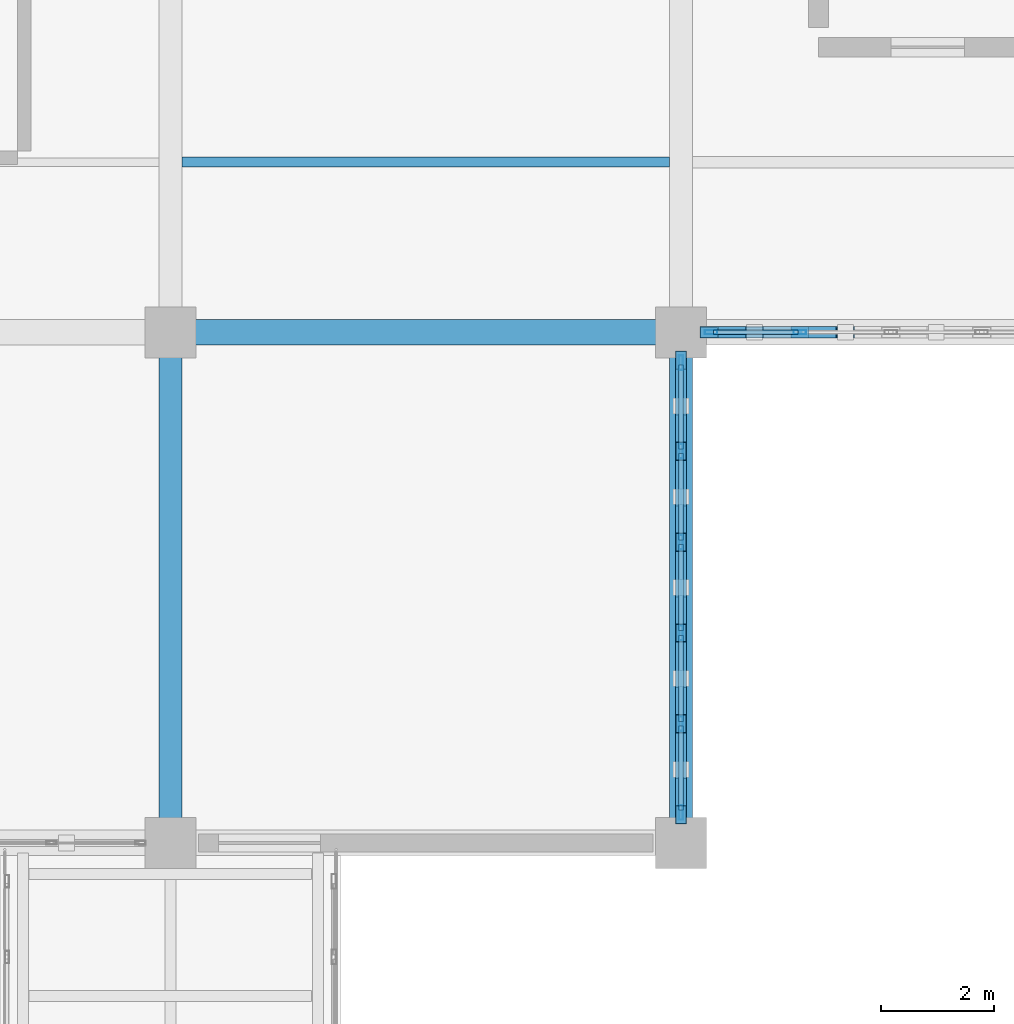
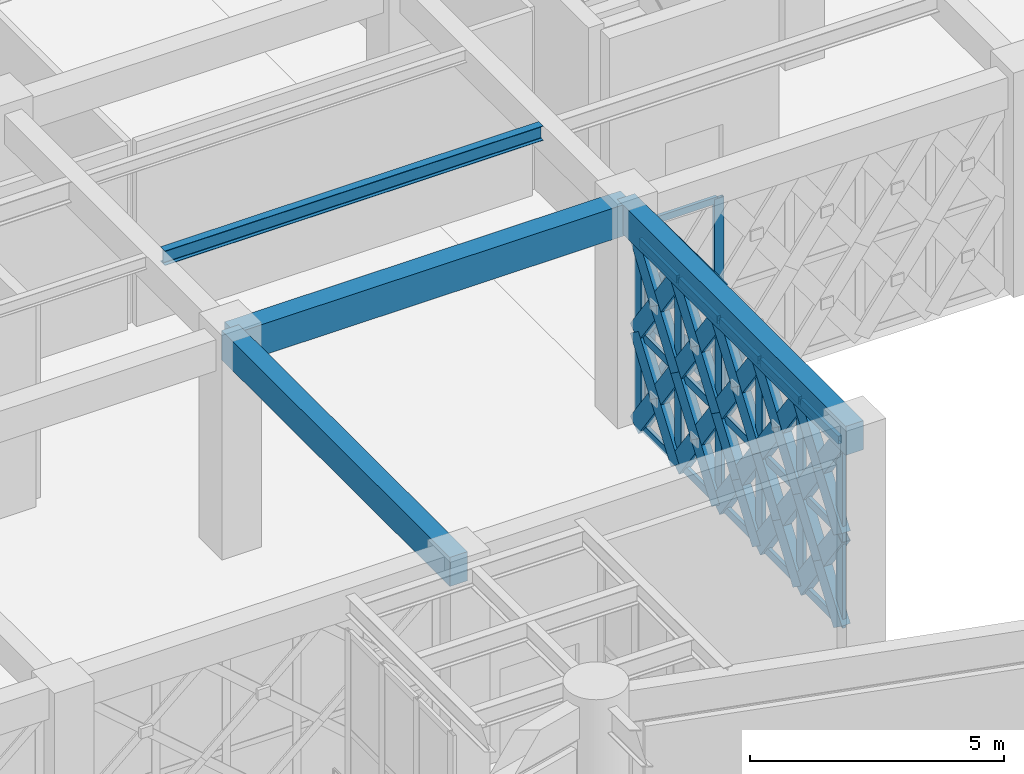
# One storey, part 74 of 155: 61 members, 4 beams, 2 elements without a shape of their own.
"""IFC4 building model written with IfcOpenShell, lengths in metres."""

from ifc_helpers import new_model, si_unit, direction, frame, origin, origin_2d, place, context, subcontext, project, spatial, rectangle, hollow_rectangle, i_section, extrude, material, material_profile, profile_set, type_object, element, aggregate, save


model = new_model("IFC4")

# Units and contexts
model_context = context("Model", 3, precision=1e-05, world=origin(), true_north=direction((0.0, 1.0)))
body_context = subcontext(model_context, "Body", "Model", "MODEL_VIEW")
ifc_project = project(units=[si_unit("LENGTHUNIT", "METRE"), si_unit("AREAUNIT", "SQUARE_METRE"), si_unit("VOLUMEUNIT", "CUBIC_METRE"), si_unit("PLANEANGLEUNIT", "RADIAN"), si_unit("MASSUNIT", "GRAM", prefix="KILO")], contexts=[model_context])

# Site, building, storey
site_placement = place(None, origin())
site = spatial("IfcSite", under=ifc_project, at=site_placement, CompositionType="ELEMENT")
building_placement = place(site_placement, origin())
building = spatial("IfcBuilding", under=site, at=building_placement, Name="Haizhuo Lancet Aquarium", CompositionType="ELEMENT")
storey_placement = place(building_placement, frame((0.0, 0.0, 10.800048828125)))
storey = spatial("IfcBuildingStorey", under=building, at=storey_placement, Name="L02", CompositionType="ELEMENT", Elevation=10.800048828125)

# Beams
ifc_material_1 = material(Name="Concrete C40/50", Category="concrete")
ifc_material_profile_1 = material_profile(ifc_material_1, rectangle(XDim=0.39990234375, YDim=0.699951171875, at=origin_2d()), Name="RC-BM 400x700")
ifc_profile_set_1 = profile_set([ifc_material_profile_1], Name="Concrete C40/50")
beam_type_1 = type_object("IfcBeamType", Name="BM-RC-400x700", PredefinedType="BEAM", material=ifc_profile_set_1)
for number, where, z_axis, x_axis, name in (
    (1, (0.0, 27.0, 4.81005859375), (0.0, 1.0, 0.0), (-1.0, 0.0, 0.0), "L02 V5 primary girder BM-L02-V5-016"),
    (2, (9.0, 27.0, 4.81005859375), (0.0, 1.0, 0.0), (-1.0, 0.0, 0.0), "L02 V5 primary girder BM-L02-V5-023"),
):
    element("IfcBeam", number, at=place(storey_placement, frame(where, z_axis=z_axis, x_axis=x_axis)), inside=storey, type_object=beam_type_1, Name=name, PredefinedType="BEAM", context=body_context, shape_type="SweptSolid", body=[
        extrude(rectangle(XDim=0.39990234375, YDim=0.699951171875, at=origin_2d()), origin(), (0.0, 0.0, 1.0), 9.0),
    ])
ifc_material_profile_2 = material_profile(ifc_material_1, rectangle(XDim=0.449951171875, YDim=0.75, at=origin_2d()), Name="RC-BM 450x750")
ifc_profile_set_2 = profile_set([ifc_material_profile_2], Name="Concrete C40/50")
beam_type_2 = type_object("IfcBeamType", Name="BM-RC-450x750", PredefinedType="BEAM", material=ifc_profile_set_2)
beam_1_placement = place(storey_placement, frame((0.0, 36.0, 4.784912109375), z_axis=(1.0, 0.0, 0.0), x_axis=(0.0, 1.0, 0.0)))
element("IfcBeam", 3, at=beam_1_placement, inside=storey, type_object=beam_type_2, Name="L02 V5 primary girder BM-L02-V5-019", PredefinedType="BEAM", context=body_context, shape_type="SweptSolid", body=[
    extrude(rectangle(XDim=0.449951171875, YDim=0.75, at=origin_2d()), origin(), (0.0, 0.0, 1.0), 9.0),
])

# Curtain wall, members
ifc_material_2 = material(Name="Aluminium 6063-T6", Category="aluminium")
curtain_wall_type_1 = type_object("IfcCurtainWallType", Name="CWD-8010x4410", PredefinedType="NOTDEFINED", material=ifc_material_2)
curtain_wall_1_placement = place(storey_placement, origin())
curtain_wall_1 = element("IfcCurtainWall", 4, at=curtain_wall_1_placement, inside=storey, type_object=curtain_wall_type_1, Name="L02 curtain wall CW-V5-L02-155", PredefinedType="NOTDEFINED")
ifc_material_profile_3 = material_profile(ifc_material_2, hollow_rectangle(XDim=0.074951171875, YDim=0.219970703125, WallThickness=0.0048828125, at=origin_2d()), Name="ALU-M 75x220x5")
ifc_profile_set_3 = profile_set([ifc_material_profile_3], Name="Aluminium 6063-T6")
member_type_1 = type_object("IfcMemberType", Name="CW-MUL-2", PredefinedType="MULLION", material=ifc_profile_set_3)
member_1_placement = place(storey_placement, frame((11.096923828125, 36.0, 0.0), z_axis=(0.0, 0.0, 1.0), x_axis=(0.0, -1.0, 0.0)))
member_1 = element("IfcMember", 5, at=member_1_placement, type_object=member_type_1, Name="CWD-80x44 mullion 5", PredefinedType="MULLION", context=body_context, shape_type="SweptSolid", body=[
    extrude(hollow_rectangle(XDim=0.074951171875, YDim=0.219970703125, WallThickness=0.0048828125, at=origin_2d()), origin(), (0.0, 0.0, 1.0), 4.409912109375),
])
member_2_placement = place(storey_placement, frame((9.531982421875, 36.0, 0.0), z_axis=(0.0, 0.0, 1.0), x_axis=(0.0, -1.0, 0.0)))
member_2 = element("IfcMember", 6, at=member_2_placement, type_object=member_type_1, Name="CWD-80x44 mullion 6", PredefinedType="MULLION", context=body_context, shape_type="SweptSolid", body=[
    extrude(hollow_rectangle(XDim=0.074951171875, YDim=0.219970703125, WallThickness=0.0048828125, at=origin_2d()), origin(), (0.0, 0.0, 1.0), 4.409912109375),
])

curtain_wall_type_2 = type_object("IfcCurtainWallType", Name="CWD-8010x4460", PredefinedType="NOTDEFINED", material=ifc_material_2)
curtain_wall_2_placement = place(storey_placement, origin())
curtain_wall_2 = element("IfcCurtainWall", 7, at=curtain_wall_2_placement, inside=storey, type_object=curtain_wall_type_2, Name="L02 curtain wall CW-V5-L02-156", PredefinedType="NOTDEFINED")
ifc_material_profile_4 = material_profile(ifc_material_2, hollow_rectangle(XDim=0.080078125, YDim=0.260009765625, WallThickness=0.0048828125, at=origin_2d()), Name="ALU-M 80x260x5")
ifc_profile_set_4 = profile_set([ifc_material_profile_4], Name="Aluminium 6063-T6")
member_type_2 = type_object("IfcMemberType", Name="CW-MUL-3", PredefinedType="MULLION", material=ifc_profile_set_4)
member_3_placement = place(storey_placement, frame((9.0, 35.465087890625, 0.0), z_axis=(0.0, 0.0, 1.0), x_axis=(1.0, 0.0, 0.0)))
member_3 = element("IfcMember", 8, at=member_3_placement, type_object=member_type_2, Name="CWD-80x44 mullion 1", PredefinedType="MULLION", context=body_context, shape_type="SweptSolid", body=[
    extrude(hollow_rectangle(XDim=0.080078125, YDim=0.260009765625, WallThickness=0.0048828125, at=origin_2d()), origin(), (0.0, 0.0, 1.0), 4.4599609375),
])
member_4_placement = place(storey_placement, frame((9.0, 33.903076171875, 0.0), z_axis=(0.0, 0.0, 1.0), x_axis=(1.0, 0.0, 0.0)))
member_4 = element("IfcMember", 9, at=member_4_placement, type_object=member_type_2, Name="CWD-80x44 mullion 2", PredefinedType="MULLION", context=body_context, shape_type="SweptSolid", body=[
    extrude(hollow_rectangle(XDim=0.080078125, YDim=0.260009765625, WallThickness=0.0048828125, at=origin_2d()), origin(), (0.0, 0.0, 1.0), 4.4599609375),
])
member_5_placement = place(storey_placement, frame((9.0, 32.301025390625, 0.0), z_axis=(0.0, 0.0, 1.0), x_axis=(1.0, 0.0, 0.0)))
member_5 = element("IfcMember", 10, at=member_5_placement, type_object=member_type_2, Name="CWD-80x44 mullion 3", PredefinedType="MULLION", context=body_context, shape_type="SweptSolid", body=[
    extrude(hollow_rectangle(XDim=0.080078125, YDim=0.260009765625, WallThickness=0.0048828125, at=origin_2d()), origin(), (0.0, 0.0, 1.0), 4.4599609375),
])
member_6_placement = place(storey_placement, frame((9.0, 30.698974609375, 0.0), z_axis=(0.0, 0.0, 1.0), x_axis=(1.0, 0.0, 0.0)))
member_6 = element("IfcMember", 11, at=member_6_placement, type_object=member_type_2, Name="CWD-80x44 mullion 4", PredefinedType="MULLION", context=body_context, shape_type="SweptSolid", body=[
    extrude(hollow_rectangle(XDim=0.080078125, YDim=0.260009765625, WallThickness=0.0048828125, at=origin_2d()), origin(), (0.0, 0.0, 1.0), 4.4599609375),
])
member_7_placement = place(storey_placement, frame((9.0, 29.096923828125, 0.0), z_axis=(0.0, 0.0, 1.0), x_axis=(1.0, 0.0, 0.0)))
member_7 = element("IfcMember", 12, at=member_7_placement, type_object=member_type_2, Name="CWD-80x44 mullion 5", PredefinedType="MULLION", context=body_context, shape_type="SweptSolid", body=[
    extrude(hollow_rectangle(XDim=0.080078125, YDim=0.260009765625, WallThickness=0.0048828125, at=origin_2d()), origin(), (0.0, 0.0, 1.0), 4.4599609375),
])
member_8_placement = place(storey_placement, frame((9.0, 27.534912109375, 0.0), z_axis=(0.0, 0.0, 1.0), x_axis=(1.0, 0.0, 0.0)))
member_8 = element("IfcMember", 13, at=member_8_placement, type_object=member_type_2, Name="CWD-80x44 mullion 6", PredefinedType="MULLION", context=body_context, shape_type="SweptSolid", body=[
    extrude(hollow_rectangle(XDim=0.080078125, YDim=0.260009765625, WallThickness=0.0048828125, at=origin_2d()), origin(), (0.0, 0.0, 1.0), 4.4599609375),
])

# Member
ifc_material_profile_5 = material_profile(ifc_material_2, hollow_rectangle(XDim=0.074951171875, YDim=0.159912109375, WallThickness=0.00390625, at=origin_2d()), Name="ALU-T 75x160x4")
ifc_profile_set_5 = profile_set([ifc_material_profile_5], Name="Aluminium 6063-T6")
member_type_3 = type_object("IfcMemberType", Name="CW-TRN-2", PredefinedType="NOTDEFINED", material=ifc_profile_set_5)
member_9_placement = place(storey_placement, frame((11.05908203125, 36.0, 0.037841796875), z_axis=(-1.0, 0.0, 0.0), x_axis=(0.0, -1.0, 0.0)))
member_9 = element("IfcMember", 14, at=member_9_placement, type_object=member_type_3, Name="CWD-80x44 transom 5.1", ObjectType="TRANSOM", PredefinedType="USERDEFINED", context=body_context, shape_type="SweptSolid", body=[
    extrude(hollow_rectangle(XDim=0.074951171875, YDim=0.159912109375, WallThickness=0.00390625, at=origin_2d()), origin(), (0.0, 0.0, 1.0), 1.489013671875),
])

member_10_placement = place(storey_placement, frame((11.05908203125, 36.0, 2.204833984375), z_axis=(-1.0, 0.0, 0.0), x_axis=(0.0, -1.0, 0.0)))
member_10 = element("IfcMember", 15, at=member_10_placement, type_object=member_type_3, Name="CWD-80x44 transom 5.2", ObjectType="TRANSOM", PredefinedType="USERDEFINED", context=body_context, shape_type="SweptSolid", body=[
    extrude(hollow_rectangle(XDim=0.074951171875, YDim=0.159912109375, WallThickness=0.00390625, at=origin_2d()), origin(), (0.0, 0.0, 1.0), 1.489013671875),
])

member_11_placement = place(storey_placement, frame((11.05908203125, 36.0, 4.373046875), z_axis=(-1.0, 0.0, 0.0), x_axis=(0.0, -1.0, 0.0)))
member_11 = element("IfcMember", 16, at=member_11_placement, type_object=member_type_3, Name="CWD-80x44 transom 5.3", ObjectType="TRANSOM", PredefinedType="USERDEFINED", context=body_context, shape_type="SweptSolid", body=[
    extrude(hollow_rectangle(XDim=0.074951171875, YDim=0.159912109375, WallThickness=0.00390625, at=origin_2d()), origin(), (0.0, 0.0, 1.0), 1.489013671875),
])

aggregate(curtain_wall_1, [member_1, member_2, member_9, member_10, member_11])

ifc_material_profile_6 = material_profile(ifc_material_2, hollow_rectangle(XDim=0.080078125, YDim=0.18994140625, WallThickness=0.0048828125, at=origin_2d()), Name="ALU-T 80x190x5")
ifc_profile_set_6 = profile_set([ifc_material_profile_6], Name="Aluminium 6063-T6")
member_type_4 = type_object("IfcMemberType", Name="CW-TRN-3", PredefinedType="NOTDEFINED", material=ifc_profile_set_6)
member_12_placement = place(storey_placement, frame((9.0, 35.425048828125, 0.0400390625), z_axis=(0.0, -1.0, 0.0), x_axis=(1.0, 0.0, 0.0)))
member_12 = element("IfcMember", 17, at=member_12_placement, type_object=member_type_4, Name="CWD-80x44 transom 1.1", ObjectType="TRANSOM", PredefinedType="USERDEFINED", context=body_context, shape_type="SweptSolid", body=[
    extrude(hollow_rectangle(XDim=0.080078125, YDim=0.18994140625, WallThickness=0.0048828125, at=origin_2d()), origin(), (0.0, 0.0, 1.0), 1.48193359375),
])

member_13_placement = place(storey_placement, frame((9.0, 35.425048828125, 2.22998046875), z_axis=(0.0, -1.0, 0.0), x_axis=(1.0, 0.0, 0.0)))
member_13 = element("IfcMember", 18, at=member_13_placement, type_object=member_type_4, Name="CWD-80x44 transom 1.2", ObjectType="TRANSOM", PredefinedType="USERDEFINED", context=body_context, shape_type="SweptSolid", body=[
    extrude(hollow_rectangle(XDim=0.080078125, YDim=0.18994140625, WallThickness=0.0048828125, at=origin_2d()), origin(), (0.0, 0.0, 1.0), 1.48193359375),
])

member_14_placement = place(storey_placement, frame((9.0, 35.425048828125, 4.419921875), z_axis=(0.0, -1.0, 0.0), x_axis=(1.0, 0.0, 0.0)))
member_14 = element("IfcMember", 19, at=member_14_placement, type_object=member_type_4, Name="CWD-80x44 transom 1.3", ObjectType="TRANSOM", PredefinedType="USERDEFINED", context=body_context, shape_type="SweptSolid", body=[
    extrude(hollow_rectangle(XDim=0.080078125, YDim=0.18994140625, WallThickness=0.0048828125, at=origin_2d()), origin(), (0.0, 0.0, 1.0), 1.48193359375),
])

member_15_placement = place(storey_placement, frame((9.0, 33.863037109375, 0.0400390625), z_axis=(0.0, -1.0, 0.0), x_axis=(1.0, 0.0, 0.0)))
member_15 = element("IfcMember", 20, at=member_15_placement, type_object=member_type_4, Name="CWD-80x44 transom 2.1", ObjectType="TRANSOM", PredefinedType="USERDEFINED", context=body_context, shape_type="SweptSolid", body=[
    extrude(hollow_rectangle(XDim=0.080078125, YDim=0.18994140625, WallThickness=0.0048828125, at=origin_2d()), origin(), (0.0, 0.0, 1.0), 1.52197265625),
])

member_16_placement = place(storey_placement, frame((9.0, 33.863037109375, 2.22998046875), z_axis=(0.0, -1.0, 0.0), x_axis=(1.0, 0.0, 0.0)))
member_16 = element("IfcMember", 21, at=member_16_placement, type_object=member_type_4, Name="CWD-80x44 transom 2.2", ObjectType="TRANSOM", PredefinedType="USERDEFINED", context=body_context, shape_type="SweptSolid", body=[
    extrude(hollow_rectangle(XDim=0.080078125, YDim=0.18994140625, WallThickness=0.0048828125, at=origin_2d()), origin(), (0.0, 0.0, 1.0), 1.52197265625),
])

member_17_placement = place(storey_placement, frame((9.0, 33.863037109375, 4.419921875), z_axis=(0.0, -1.0, 0.0), x_axis=(1.0, 0.0, 0.0)))
member_17 = element("IfcMember", 22, at=member_17_placement, type_object=member_type_4, Name="CWD-80x44 transom 2.3", ObjectType="TRANSOM", PredefinedType="USERDEFINED", context=body_context, shape_type="SweptSolid", body=[
    extrude(hollow_rectangle(XDim=0.080078125, YDim=0.18994140625, WallThickness=0.0048828125, at=origin_2d()), origin(), (0.0, 0.0, 1.0), 1.52197265625),
])

member_18_placement = place(storey_placement, frame((9.0, 32.260986328125, 0.0400390625), z_axis=(0.0, -1.0, 0.0), x_axis=(1.0, 0.0, 0.0)))
member_18 = element("IfcMember", 23, at=member_18_placement, type_object=member_type_4, Name="CWD-80x44 transom 3.1", ObjectType="TRANSOM", PredefinedType="USERDEFINED", context=body_context, shape_type="SweptSolid", body=[
    extrude(hollow_rectangle(XDim=0.080078125, YDim=0.18994140625, WallThickness=0.0048828125, at=origin_2d()), origin(), (0.0, 0.0, 1.0), 1.52197265625),
])

member_19_placement = place(storey_placement, frame((9.0, 32.260986328125, 2.22998046875), z_axis=(0.0, -1.0, 0.0), x_axis=(1.0, 0.0, 0.0)))
member_19 = element("IfcMember", 24, at=member_19_placement, type_object=member_type_4, Name="CWD-80x44 transom 3.2", ObjectType="TRANSOM", PredefinedType="USERDEFINED", context=body_context, shape_type="SweptSolid", body=[
    extrude(hollow_rectangle(XDim=0.080078125, YDim=0.18994140625, WallThickness=0.0048828125, at=origin_2d()), origin(), (0.0, 0.0, 1.0), 1.52197265625),
])

member_20_placement = place(storey_placement, frame((9.0, 32.260986328125, 4.419921875), z_axis=(0.0, -1.0, 0.0), x_axis=(1.0, 0.0, 0.0)))
member_20 = element("IfcMember", 25, at=member_20_placement, type_object=member_type_4, Name="CWD-80x44 transom 3.3", ObjectType="TRANSOM", PredefinedType="USERDEFINED", context=body_context, shape_type="SweptSolid", body=[
    extrude(hollow_rectangle(XDim=0.080078125, YDim=0.18994140625, WallThickness=0.0048828125, at=origin_2d()), origin(), (0.0, 0.0, 1.0), 1.52197265625),
])

member_21_placement = place(storey_placement, frame((9.0, 30.658935546875, 0.0400390625), z_axis=(0.0, -1.0, 0.0), x_axis=(1.0, 0.0, 0.0)))
member_21 = element("IfcMember", 26, at=member_21_placement, type_object=member_type_4, Name="CWD-80x44 transom 4.1", ObjectType="TRANSOM", PredefinedType="USERDEFINED", context=body_context, shape_type="SweptSolid", body=[
    extrude(hollow_rectangle(XDim=0.080078125, YDim=0.18994140625, WallThickness=0.0048828125, at=origin_2d()), origin(), (0.0, 0.0, 1.0), 1.52197265625),
])

member_22_placement = place(storey_placement, frame((9.0, 30.658935546875, 2.22998046875), z_axis=(0.0, -1.0, 0.0), x_axis=(1.0, 0.0, 0.0)))
member_22 = element("IfcMember", 27, at=member_22_placement, type_object=member_type_4, Name="CWD-80x44 transom 4.2", ObjectType="TRANSOM", PredefinedType="USERDEFINED", context=body_context, shape_type="SweptSolid", body=[
    extrude(hollow_rectangle(XDim=0.080078125, YDim=0.18994140625, WallThickness=0.0048828125, at=origin_2d()), origin(), (0.0, 0.0, 1.0), 1.52197265625),
])

member_23_placement = place(storey_placement, frame((9.0, 30.658935546875, 4.419921875), z_axis=(0.0, -1.0, 0.0), x_axis=(1.0, 0.0, 0.0)))
member_23 = element("IfcMember", 28, at=member_23_placement, type_object=member_type_4, Name="CWD-80x44 transom 4.3", ObjectType="TRANSOM", PredefinedType="USERDEFINED", context=body_context, shape_type="SweptSolid", body=[
    extrude(hollow_rectangle(XDim=0.080078125, YDim=0.18994140625, WallThickness=0.0048828125, at=origin_2d()), origin(), (0.0, 0.0, 1.0), 1.52197265625),
])

member_24_placement = place(storey_placement, frame((9.0, 29.056884765625, 0.0400390625), z_axis=(0.0, -1.0, 0.0), x_axis=(1.0, 0.0, 0.0)))
member_24 = element("IfcMember", 29, at=member_24_placement, type_object=member_type_4, Name="CWD-80x44 transom 5.1", ObjectType="TRANSOM", PredefinedType="USERDEFINED", context=body_context, shape_type="SweptSolid", body=[
    extrude(hollow_rectangle(XDim=0.080078125, YDim=0.18994140625, WallThickness=0.0048828125, at=origin_2d()), origin(), (0.0, 0.0, 1.0), 1.48193359375),
])

member_25_placement = place(storey_placement, frame((9.0, 29.056884765625, 2.22998046875), z_axis=(0.0, -1.0, 0.0), x_axis=(1.0, 0.0, 0.0)))
member_25 = element("IfcMember", 30, at=member_25_placement, type_object=member_type_4, Name="CWD-80x44 transom 5.2", ObjectType="TRANSOM", PredefinedType="USERDEFINED", context=body_context, shape_type="SweptSolid", body=[
    extrude(hollow_rectangle(XDim=0.080078125, YDim=0.18994140625, WallThickness=0.0048828125, at=origin_2d()), origin(), (0.0, 0.0, 1.0), 1.48193359375),
])

member_26_placement = place(storey_placement, frame((9.0, 29.056884765625, 4.419921875), z_axis=(0.0, -1.0, 0.0), x_axis=(1.0, 0.0, 0.0)))
member_26 = element("IfcMember", 31, at=member_26_placement, type_object=member_type_4, Name="CWD-80x44 transom 5.3", ObjectType="TRANSOM", PredefinedType="USERDEFINED", context=body_context, shape_type="SweptSolid", body=[
    extrude(hollow_rectangle(XDim=0.080078125, YDim=0.18994140625, WallThickness=0.0048828125, at=origin_2d()), origin(), (0.0, 0.0, 1.0), 1.48193359375),
])

aggregate(curtain_wall_2, [member_3, member_4, member_5, member_6, member_7, member_8, member_12, member_13, member_14, member_15, member_16, member_17, member_18, member_19, member_20, member_21, member_22, member_23, member_24, member_25, member_26])

# Beam
ifc_material_3 = material(Name="Steel S355", Category="steel")
ifc_material_profile_7 = material_profile(ifc_material_3, i_section(OverallWidth=0.175048828125, OverallDepth=0.35009765625, WebThickness=0.007080078125, FlangeThickness=0.010986328125, FilletRadius=0.013916015625, at=origin_2d()), Name="HN 350x175x7x11")
ifc_profile_set_7 = profile_set([ifc_material_profile_7], Name="Steel S355")
beam_type_3 = type_object("IfcBeamType", Name="JST-ST-HN350", PredefinedType="JOIST", material=ifc_profile_set_7)
beam_2_placement = place(storey_placement, frame((0.199951171875, 39.0, 4.98486328125), z_axis=(1.0, 0.0, 0.0), x_axis=(0.0, 1.0, 0.0)))
element("IfcBeam", 32, at=beam_2_placement, inside=storey, type_object=beam_type_3, Name="L02 V5 secondary floor joist 10", PredefinedType="JOIST", context=body_context, shape_type="SweptSolid", body=[
    extrude(i_section(OverallWidth=0.175048828125, OverallDepth=0.35009765625, WebThickness=0.007080078125, FlangeThickness=0.010986328125, FilletRadius=0.013916015625, at=origin_2d()), origin(), (0.0, 0.0, 1.0), 8.60009765625),
])

# Members
ifc_material_profile_8 = material_profile(ifc_material_3, hollow_rectangle(XDim=0.199951171875, YDim=0.39990234375, WallThickness=0.011962890625, at=origin_2d()), Name="RHS 200x400x12")
ifc_profile_set_8 = profile_set([ifc_material_profile_8], Name="Steel S355")
member_type_5 = type_object("IfcMemberType", Name="MEM-LB-RHS200x400", PredefinedType="BRACE", material=ifc_profile_set_8)
member_27_placement = place(storey_placement, frame((11.096923828125, 36.0, 0.0), z_axis=(0.587947920096, 0.0, 0.808898784308), x_axis=(0.0, 1.0, 0.0)))
element("IfcMember", 33, at=member_27_placement, inside=storey, type_object=member_type_5, Name="Gothic lancet split diagonal brace CW-V5-L02-155 7B1", PredefinedType="BRACE", context=body_context, shape_type="SweptSolid", body=[
    extrude(hollow_rectangle(XDim=0.199951171875, YDim=0.39990234375, WallThickness=0.011962890625, at=origin_2d()), origin(), (0.0, 0.0, 1.0), 1.3623046875),
])
member_28_placement = place(storey_placement, frame((11.096923828125, 36.0, 0.0), z_axis=(-0.587761471996, 0.0, 0.809034271238), x_axis=(0.0, -1.0, 0.0)))
element("IfcMember", 34, at=member_28_placement, inside=storey, type_object=member_type_5, Name="Gothic lancet continuous diagonal brace CW-V5-L02-155 9A", PredefinedType="BRACE", context=body_context, shape_type="SweptSolid", body=[
    extrude(hollow_rectangle(XDim=0.199951171875, YDim=0.39990234375, WallThickness=0.011962890625, at=origin_2d()), origin(), (0.0, 0.0, 1.0), 2.725341796875),
])
member_29_placement = place(storey_placement, frame((9.4951171875, 36.0, 0.0), z_axis=(0.587830649366, 0.0, 0.808984009524), x_axis=(0.0, 1.0, 0.0)))
element("IfcMember", 35, at=member_29_placement, inside=storey, type_object=member_type_5, Name="Gothic lancet split diagonal brace CW-V5-L02-155 9B1", PredefinedType="BRACE", context=body_context, shape_type="SweptSolid", body=[
    extrude(hollow_rectangle(XDim=0.199951171875, YDim=0.39990234375, WallThickness=0.011962890625, at=origin_2d()), origin(), (0.0, 0.0, 1.0), 1.3623046875),
])
member_30_placement = place(storey_placement, frame((11.096923828125, 36.0, 2.204833984375), z_axis=(-0.587718875297, 0.0, 0.809065215925), x_axis=(0.0, -1.0, 0.0)))
element("IfcMember", 36, at=member_30_placement, inside=storey, type_object=member_type_5, Name="Gothic lancet continuous diagonal brace CW-V5-L02-155 10A", PredefinedType="BRACE", context=body_context, shape_type="SweptSolid", body=[
    extrude(hollow_rectangle(XDim=0.199951171875, YDim=0.39990234375, WallThickness=0.011962890625, at=origin_2d()), origin(), (0.0, 0.0, 1.0), 2.7255859375),
])
member_31_placement = place(storey_placement, frame((9.4951171875, 36.0, 2.204833984375), z_axis=(0.587489892075, 0.0, 0.809231503779), x_axis=(0.0, 1.0, 0.0)))
element("IfcMember", 37, at=member_31_placement, inside=storey, type_object=member_type_5, Name="Gothic lancet split diagonal brace CW-V5-L02-155 10B1", PredefinedType="BRACE", context=body_context, shape_type="SweptSolid", body=[
    extrude(hollow_rectangle(XDim=0.199951171875, YDim=0.39990234375, WallThickness=0.011962890625, at=origin_2d()), origin(), (0.0, 0.0, 1.0), 1.363037109375),
])
member_32_placement = place(storey_placement, frame((9.0, 35.5048828125, 0.0), z_axis=(0.0, -0.583397836814, 0.812186532763), x_axis=(1.0, 0.0, 0.0)))
element("IfcMember", 38, at=member_32_placement, inside=storey, type_object=member_type_5, Name="Gothic lancet continuous diagonal brace CW-V5-L02-156 1A", PredefinedType="BRACE", context=body_context, shape_type="SweptSolid", body=[
    extrude(hollow_rectangle(XDim=0.199951171875, YDim=0.39990234375, WallThickness=0.011962890625, at=origin_2d()), origin(), (0.0, 0.0, 1.0), 2.74560546875),
])
for number, where, z_axis, x_axis, name in (
    (39, (9.0, 33.903076171875, 0.0), (0.0, 0.583456487426, 0.81214440051), (-1.0, 0.0, 0.0), "Gothic lancet split diagonal brace CW-V5-L02-156 1B1"),
    (40, (9.0, 34.7041015625, 1.114990234375), (0.0, 0.583339177073, 0.81222866515), (-1.0, 0.0, 0.0), "Gothic lancet split diagonal brace CW-V5-L02-156 1B2"),
):
    element("IfcMember", number, at=place(storey_placement, frame(where, z_axis=z_axis, x_axis=x_axis)), inside=storey, type_object=member_type_5, Name=name, PredefinedType="BRACE", context=body_context, shape_type="SweptSolid", body=[
        extrude(hollow_rectangle(XDim=0.199951171875, YDim=0.39990234375, WallThickness=0.011962890625, at=origin_2d()), origin(), (0.0, 0.0, 1.0), 1.372802734375),
    ])
member_33_placement = place(storey_placement, frame((9.0, 35.5048828125, 2.22998046875), z_axis=(0.0, -0.583397836814, 0.812186532763), x_axis=(1.0, 0.0, 0.0)))
element("IfcMember", 41, at=member_33_placement, inside=storey, type_object=member_type_5, Name="Gothic lancet continuous diagonal brace CW-V5-L02-156 2A", PredefinedType="BRACE", context=body_context, shape_type="SweptSolid", body=[
    extrude(hollow_rectangle(XDim=0.199951171875, YDim=0.39990234375, WallThickness=0.011962890625, at=origin_2d()), origin(), (0.0, 0.0, 1.0), 2.74560546875),
])
for number, where, z_axis, x_axis, name in (
    (42, (9.0, 33.903076171875, 2.22998046875), (0.0, 0.583456487426, 0.81214440051), (-1.0, 0.0, 0.0), "Gothic lancet split diagonal brace CW-V5-L02-156 2B1"),
    (43, (9.0, 34.7041015625, 3.344970703125), (0.0, 0.583339177073, 0.81222866515), (-1.0, 0.0, 0.0), "Gothic lancet split diagonal brace CW-V5-L02-156 2B2"),
):
    element("IfcMember", number, at=place(storey_placement, frame(where, z_axis=z_axis, x_axis=x_axis)), inside=storey, type_object=member_type_5, Name=name, PredefinedType="BRACE", context=body_context, shape_type="SweptSolid", body=[
        extrude(hollow_rectangle(XDim=0.199951171875, YDim=0.39990234375, WallThickness=0.011962890625, at=origin_2d()), origin(), (0.0, 0.0, 1.0), 1.372802734375),
    ])
member_34_placement = place(storey_placement, frame((9.0, 33.903076171875, 0.0), z_axis=(0.0, -0.583456487426, 0.81214440051), x_axis=(1.0, 0.0, 0.0)))
element("IfcMember", 44, at=member_34_placement, inside=storey, type_object=member_type_5, Name="Gothic lancet continuous diagonal brace CW-V5-L02-156 3A", PredefinedType="BRACE", context=body_context, shape_type="SweptSolid", body=[
    extrude(hollow_rectangle(XDim=0.199951171875, YDim=0.39990234375, WallThickness=0.011962890625, at=origin_2d()), origin(), (0.0, 0.0, 1.0), 2.745849609375),
])
for number, where, z_axis, x_axis, name in (
    (45, (9.0, 32.301025390625, 0.0), (0.0, 0.583456487426, 0.81214440051), (-1.0, 0.0, 0.0), "Gothic lancet split diagonal brace CW-V5-L02-156 3B1"),
    (46, (9.0, 33.10205078125, 1.114990234375), (0.0, 0.583456487426, 0.81214440051), (-1.0, 0.0, 0.0), "Gothic lancet split diagonal brace CW-V5-L02-156 3B2"),
):
    element("IfcMember", number, at=place(storey_placement, frame(where, z_axis=z_axis, x_axis=x_axis)), inside=storey, type_object=member_type_5, Name=name, PredefinedType="BRACE", context=body_context, shape_type="SweptSolid", body=[
        extrude(hollow_rectangle(XDim=0.199951171875, YDim=0.39990234375, WallThickness=0.011962890625, at=origin_2d()), origin(), (0.0, 0.0, 1.0), 1.372802734375),
    ])
member_35_placement = place(storey_placement, frame((9.0, 33.903076171875, 2.22998046875), z_axis=(0.0, -0.583456487426, 0.81214440051), x_axis=(1.0, 0.0, 0.0)))
element("IfcMember", 47, at=member_35_placement, inside=storey, type_object=member_type_5, Name="Gothic lancet continuous diagonal brace CW-V5-L02-156 4A", PredefinedType="BRACE", context=body_context, shape_type="SweptSolid", body=[
    extrude(hollow_rectangle(XDim=0.199951171875, YDim=0.39990234375, WallThickness=0.011962890625, at=origin_2d()), origin(), (0.0, 0.0, 1.0), 2.745849609375),
])
for number, where, z_axis, x_axis, name in (
    (48, (9.0, 32.301025390625, 2.22998046875), (0.0, 0.583456487426, 0.81214440051), (-1.0, 0.0, 0.0), "Gothic lancet split diagonal brace CW-V5-L02-156 4B1"),
    (49, (9.0, 33.10205078125, 3.344970703125), (0.0, 0.583456487426, 0.81214440051), (-1.0, 0.0, 0.0), "Gothic lancet split diagonal brace CW-V5-L02-156 4B2"),
):
    element("IfcMember", number, at=place(storey_placement, frame(where, z_axis=z_axis, x_axis=x_axis)), inside=storey, type_object=member_type_5, Name=name, PredefinedType="BRACE", context=body_context, shape_type="SweptSolid", body=[
        extrude(hollow_rectangle(XDim=0.199951171875, YDim=0.39990234375, WallThickness=0.011962890625, at=origin_2d()), origin(), (0.0, 0.0, 1.0), 1.372802734375),
    ])
member_36_placement = place(storey_placement, frame((9.0, 32.301025390625, 0.0), z_axis=(0.0, -0.583456487426, 0.81214440051), x_axis=(1.0, 0.0, 0.0)))
element("IfcMember", 50, at=member_36_placement, inside=storey, type_object=member_type_5, Name="Gothic lancet continuous diagonal brace CW-V5-L02-156 5A", PredefinedType="BRACE", context=body_context, shape_type="SweptSolid", body=[
    extrude(hollow_rectangle(XDim=0.199951171875, YDim=0.39990234375, WallThickness=0.011962890625, at=origin_2d()), origin(), (0.0, 0.0, 1.0), 2.745849609375),
])
for number, where, z_axis, x_axis, name in (
    (51, (9.0, 30.698974609375, 0.0), (0.0, 0.583456487426, 0.81214440051), (-1.0, 0.0, 0.0), "Gothic lancet split diagonal brace CW-V5-L02-156 5B1"),
    (52, (9.0, 31.5, 1.114990234375), (0.0, 0.583456487426, 0.81214440051), (-1.0, 0.0, 0.0), "Gothic lancet split diagonal brace CW-V5-L02-156 5B2"),
):
    element("IfcMember", number, at=place(storey_placement, frame(where, z_axis=z_axis, x_axis=x_axis)), inside=storey, type_object=member_type_5, Name=name, PredefinedType="BRACE", context=body_context, shape_type="SweptSolid", body=[
        extrude(hollow_rectangle(XDim=0.199951171875, YDim=0.39990234375, WallThickness=0.011962890625, at=origin_2d()), origin(), (0.0, 0.0, 1.0), 1.372802734375),
    ])
member_37_placement = place(storey_placement, frame((9.0, 32.301025390625, 2.22998046875), z_axis=(0.0, -0.583456487426, 0.81214440051), x_axis=(1.0, 0.0, 0.0)))
element("IfcMember", 53, at=member_37_placement, inside=storey, type_object=member_type_5, Name="Gothic lancet continuous diagonal brace CW-V5-L02-156 6A", PredefinedType="BRACE", context=body_context, shape_type="SweptSolid", body=[
    extrude(hollow_rectangle(XDim=0.199951171875, YDim=0.39990234375, WallThickness=0.011962890625, at=origin_2d()), origin(), (0.0, 0.0, 1.0), 2.745849609375),
])
for number, where, z_axis, x_axis, name in (
    (54, (9.0, 30.698974609375, 2.22998046875), (0.0, 0.583456487426, 0.81214440051), (-1.0, 0.0, 0.0), "Gothic lancet split diagonal brace CW-V5-L02-156 6B1"),
    (55, (9.0, 31.5, 3.344970703125), (0.0, 0.583456487426, 0.81214440051), (-1.0, 0.0, 0.0), "Gothic lancet split diagonal brace CW-V5-L02-156 6B2"),
):
    element("IfcMember", number, at=place(storey_placement, frame(where, z_axis=z_axis, x_axis=x_axis)), inside=storey, type_object=member_type_5, Name=name, PredefinedType="BRACE", context=body_context, shape_type="SweptSolid", body=[
        extrude(hollow_rectangle(XDim=0.199951171875, YDim=0.39990234375, WallThickness=0.011962890625, at=origin_2d()), origin(), (0.0, 0.0, 1.0), 1.372802734375),
    ])
member_38_placement = place(storey_placement, frame((9.0, 30.698974609375, 0.0), z_axis=(0.0, -0.583456487426, 0.81214440051), x_axis=(1.0, 0.0, 0.0)))
element("IfcMember", 56, at=member_38_placement, inside=storey, type_object=member_type_5, Name="Gothic lancet continuous diagonal brace CW-V5-L02-156 7A", PredefinedType="BRACE", context=body_context, shape_type="SweptSolid", body=[
    extrude(hollow_rectangle(XDim=0.199951171875, YDim=0.39990234375, WallThickness=0.011962890625, at=origin_2d()), origin(), (0.0, 0.0, 1.0), 2.745849609375),
])
for number, where, z_axis, x_axis, name in (
    (57, (9.0, 29.096923828125, 0.0), (0.0, 0.583456487426, 0.81214440051), (-1.0, 0.0, 0.0), "Gothic lancet split diagonal brace CW-V5-L02-156 7B1"),
    (58, (9.0, 29.89794921875, 1.114990234375), (0.0, 0.583456487426, 0.81214440051), (-1.0, 0.0, 0.0), "Gothic lancet split diagonal brace CW-V5-L02-156 7B2"),
):
    element("IfcMember", number, at=place(storey_placement, frame(where, z_axis=z_axis, x_axis=x_axis)), inside=storey, type_object=member_type_5, Name=name, PredefinedType="BRACE", context=body_context, shape_type="SweptSolid", body=[
        extrude(hollow_rectangle(XDim=0.199951171875, YDim=0.39990234375, WallThickness=0.011962890625, at=origin_2d()), origin(), (0.0, 0.0, 1.0), 1.372802734375),
    ])
member_39_placement = place(storey_placement, frame((9.0, 30.698974609375, 2.22998046875), z_axis=(0.0, -0.583456487426, 0.81214440051), x_axis=(1.0, 0.0, 0.0)))
element("IfcMember", 59, at=member_39_placement, inside=storey, type_object=member_type_5, Name="Gothic lancet continuous diagonal brace CW-V5-L02-156 8A", PredefinedType="BRACE", context=body_context, shape_type="SweptSolid", body=[
    extrude(hollow_rectangle(XDim=0.199951171875, YDim=0.39990234375, WallThickness=0.011962890625, at=origin_2d()), origin(), (0.0, 0.0, 1.0), 2.745849609375),
])
for number, where, z_axis, x_axis, name in (
    (60, (9.0, 29.096923828125, 2.22998046875), (0.0, 0.583456487426, 0.81214440051), (-1.0, 0.0, 0.0), "Gothic lancet split diagonal brace CW-V5-L02-156 8B1"),
    (61, (9.0, 29.89794921875, 3.344970703125), (0.0, 0.583456487426, 0.81214440051), (-1.0, 0.0, 0.0), "Gothic lancet split diagonal brace CW-V5-L02-156 8B2"),
):
    element("IfcMember", number, at=place(storey_placement, frame(where, z_axis=z_axis, x_axis=x_axis)), inside=storey, type_object=member_type_5, Name=name, PredefinedType="BRACE", context=body_context, shape_type="SweptSolid", body=[
        extrude(hollow_rectangle(XDim=0.199951171875, YDim=0.39990234375, WallThickness=0.011962890625, at=origin_2d()), origin(), (0.0, 0.0, 1.0), 1.372802734375),
    ])
member_40_placement = place(storey_placement, frame((9.0, 29.096923828125, 0.0), z_axis=(0.0, -0.583397836814, 0.812186532763), x_axis=(1.0, 0.0, 0.0)))
element("IfcMember", 62, at=member_40_placement, inside=storey, type_object=member_type_5, Name="Gothic lancet continuous diagonal brace CW-V5-L02-156 9A", PredefinedType="BRACE", context=body_context, shape_type="SweptSolid", body=[
    extrude(hollow_rectangle(XDim=0.199951171875, YDim=0.39990234375, WallThickness=0.011962890625, at=origin_2d()), origin(), (0.0, 0.0, 1.0), 2.74560546875),
])
for number, where, z_axis, x_axis, name in (
    (63, (9.0, 27.4951171875, 0.0), (0.0, 0.583339177073, 0.81222866515), (-1.0, 0.0, 0.0), "Gothic lancet split diagonal brace CW-V5-L02-156 9B1"),
    (64, (9.0, 28.2958984375, 1.114990234375), (0.0, 0.583456487426, 0.81214440051), (-1.0, 0.0, 0.0), "Gothic lancet split diagonal brace CW-V5-L02-156 9B2"),
):
    element("IfcMember", number, at=place(storey_placement, frame(where, z_axis=z_axis, x_axis=x_axis)), inside=storey, type_object=member_type_5, Name=name, PredefinedType="BRACE", context=body_context, shape_type="SweptSolid", body=[
        extrude(hollow_rectangle(XDim=0.199951171875, YDim=0.39990234375, WallThickness=0.011962890625, at=origin_2d()), origin(), (0.0, 0.0, 1.0), 1.372802734375),
    ])
member_41_placement = place(storey_placement, frame((9.0, 29.096923828125, 2.22998046875), z_axis=(0.0, -0.583397836814, 0.812186532763), x_axis=(1.0, 0.0, 0.0)))
element("IfcMember", 65, at=member_41_placement, inside=storey, type_object=member_type_5, Name="Gothic lancet continuous diagonal brace CW-V5-L02-156 10A", PredefinedType="BRACE", context=body_context, shape_type="SweptSolid", body=[
    extrude(hollow_rectangle(XDim=0.199951171875, YDim=0.39990234375, WallThickness=0.011962890625, at=origin_2d()), origin(), (0.0, 0.0, 1.0), 2.74560546875),
])
for number, where, z_axis, x_axis, name in (
    (66, (9.0, 27.4951171875, 2.22998046875), (0.0, 0.583339177073, 0.81222866515), (-1.0, 0.0, 0.0), "Gothic lancet split diagonal brace CW-V5-L02-156 10B1"),
    (67, (9.0, 28.2958984375, 3.344970703125), (0.0, 0.583456487426, 0.81214440051), (-1.0, 0.0, 0.0), "Gothic lancet split diagonal brace CW-V5-L02-156 10B2"),
):
    element("IfcMember", number, at=place(storey_placement, frame(where, z_axis=z_axis, x_axis=x_axis)), inside=storey, type_object=member_type_5, Name=name, PredefinedType="BRACE", context=body_context, shape_type="SweptSolid", body=[
        extrude(hollow_rectangle(XDim=0.199951171875, YDim=0.39990234375, WallThickness=0.011962890625, at=origin_2d()), origin(), (0.0, 0.0, 1.0), 1.372802734375),
    ])

save(model, "model.ifc")
